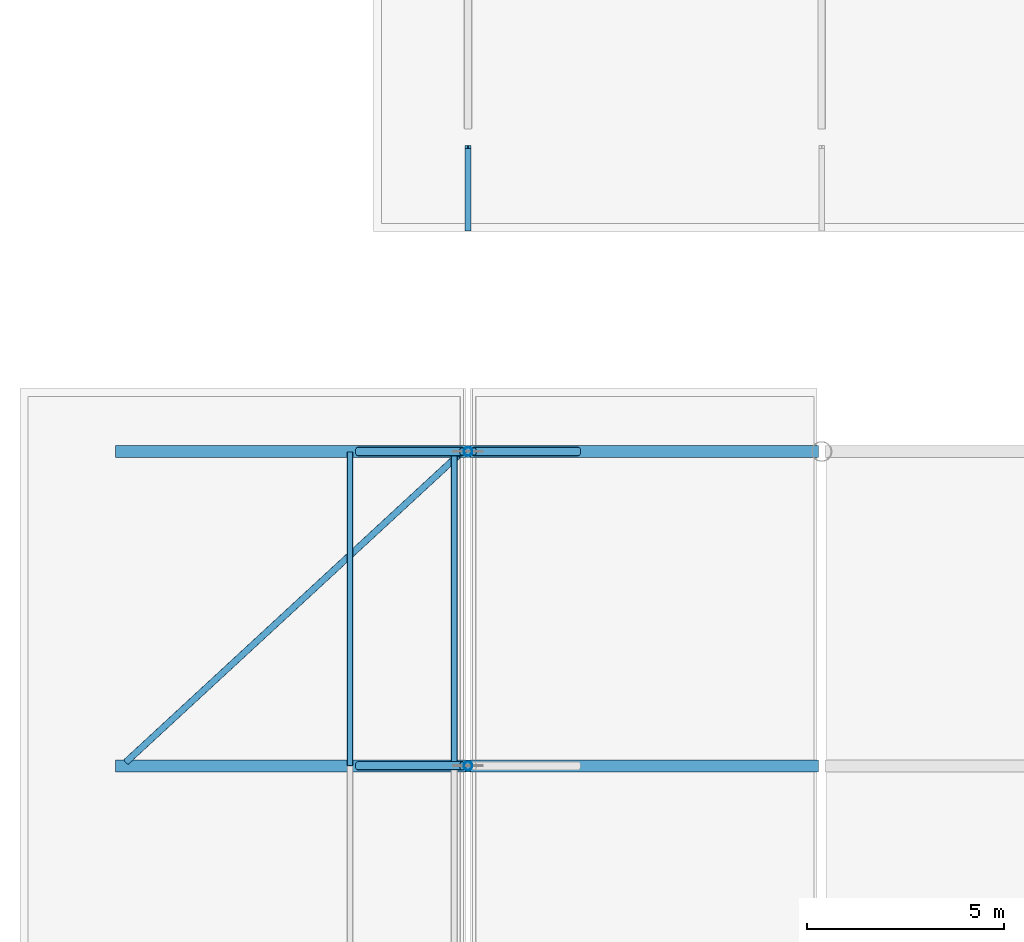
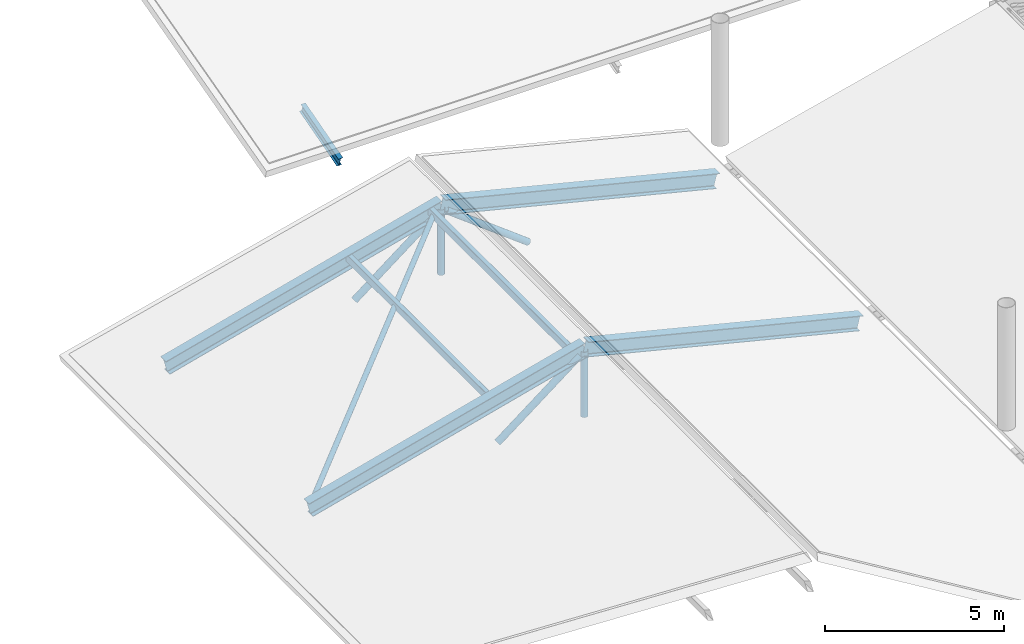
# One storey, part 43 of 128: 8 members, 5 beams.
"""IFC4 building model written with IfcOpenShell, lengths in metres."""

from ifc_helpers import new_model, si_unit, derived_unit, direction, frame, origin, origin_2d, place, context, subcontext, project, spatial, hollow_rectangle, hollow_circle, i_section, extrude, material, material_profile, profile_set, type_object, element, save


model = new_model("IFC4")

# Units and contexts
model_context = context("Model", 3, precision=1e-05, world=origin(), true_north=direction((0.0, 1.0)))
body_context = subcontext(model_context, "Body", "Model", "MODEL_VIEW")
ifc_project = project(units=[si_unit("LENGTHUNIT", "METRE"), si_unit("AREAUNIT", "SQUARE_METRE"), si_unit("VOLUMEUNIT", "CUBIC_METRE"), si_unit("PLANEANGLEUNIT", "RADIAN"), si_unit("MASSUNIT", "GRAM", prefix="KILO"), derived_unit("THERMALTRANSMITTANCEUNIT", [(si_unit("MASSUNIT", "GRAM", prefix="KILO"), 1), (si_unit("TIMEUNIT", "SECOND"), -3), (si_unit("THERMODYNAMICTEMPERATUREUNIT", "KELVIN"), -1)])], contexts=[model_context])

# Site, building, storey
site_placement = place(None, origin())
site = spatial("IfcSite", under=ifc_project, at=site_placement, CompositionType="ELEMENT")
building_placement = place(site_placement, origin())
building = spatial("IfcBuilding", under=site, at=building_placement, Name="Zhenchuan Archway Interchange", CompositionType="ELEMENT")
storey_placement = place(building_placement, frame((0.0, 0.0, 14.39990234375)))
storey = spatial("IfcBuildingStorey", under=building, at=storey_placement, Name="L03", CompositionType="ELEMENT", Elevation=14.39990234375)

# Beams
ifc_material_1 = material(Name="Steel Q355", Category="steel")
ifc_material_profile_1 = material_profile(ifc_material_1, i_section(OverallWidth=0.14990234375, OverallDepth=0.300048828125, WebThickness=0.006591796875, FlangeThickness=0.009033203125, FilletRadius=0.012939453125, at=origin_2d()), Name="HN 300x150")
ifc_profile_set_1 = profile_set([ifc_material_profile_1], Name="Steel Q355")
beam_type_1 = type_object("IfcBeamType", Name="BM_STL_EAVE_HN300", PredefinedType="BEAM", material=ifc_profile_set_1)
beam_1_placement = place(storey_placement, frame((9.0, 95.75, -0.3798828125), z_axis=(0.0, -0.961515511102, -0.274750654067), x_axis=(1.0, 0.0, 0.0)))
element("IfcBeam", 1, at=beam_1_placement, inside=storey, type_object=beam_type_1, Name="Terminal Wing storm-eave bracket X9-S", PredefinedType="BEAM", context=body_context, shape_type="SweptSolid", body=[
    extrude(i_section(OverallWidth=0.14990234375, OverallDepth=0.300048828125, WebThickness=0.006591796875, FlangeThickness=0.009033203125, FilletRadius=0.012939453125, at=origin_2d()), origin(), (0.0, 0.0, 1.0), 2.18408203125),
])
ifc_material_2 = material(Name="Steel Q390", Category="steel")
ifc_material_profile_2 = material_profile(ifc_material_2, i_section(OverallWidth=0.300048828125, OverallDepth=0.5, WebThickness=0.010986328125, FlangeThickness=0.01806640625, FilletRadius=0.02197265625, at=origin_2d()), Name="HM 500x300")
ifc_profile_set_2 = profile_set([ifc_material_profile_2], Name="Steel Q390")
beam_type_2 = type_object("IfcBeamType", Name="BM_STL_HM500", PredefinedType="BEAM", material=ifc_profile_set_2)
beam_2_placement = place(storey_placement, frame((0.10009765625, 80.0, -1.3798828125), z_axis=(0.966597493946, 0.0, 0.256299209318), x_axis=(0.0, 1.0, 0.0)))
element("IfcBeam", 2, at=beam_2_placement, inside=storey, type_object=beam_type_2, Name="ROOF TRUSS bus canopy T8 top chord 1", PredefinedType="BEAM", context=body_context, shape_type="SweptSolid", body=[
    extrude(i_section(OverallWidth=0.300048828125, OverallDepth=0.5, WebThickness=0.010986328125, FlangeThickness=0.01806640625, FilletRadius=0.02197265625, at=origin_2d()), origin(), (0.0, 0.0, 1.0), 9.20751953125),
])
beam_3_placement = place(storey_placement, frame((9.0, 80.0, 0.97998046875), z_axis=(0.970529815041, 0.0, -0.240981074187), x_axis=(0.0, 1.0, 0.0)))
element("IfcBeam", 3, at=beam_3_placement, inside=storey, type_object=beam_type_2, Name="ROOF TRUSS bus canopy T8 top chord 2", PredefinedType="BEAM", context=body_context, shape_type="SweptSolid", body=[
    extrude(i_section(OverallWidth=0.300048828125, OverallDepth=0.5, WebThickness=0.010986328125, FlangeThickness=0.01806640625, FilletRadius=0.02197265625, at=origin_2d()), origin(), (0.0, 0.0, 1.0), 9.129150390625),
])
beam_4_placement = place(storey_placement, frame((0.10009765625, 88.0, -1.3798828125), z_axis=(0.966597493946, 0.0, 0.256299209318), x_axis=(0.0, 1.0, 0.0)))
element("IfcBeam", 4, at=beam_4_placement, inside=storey, type_object=beam_type_2, Name="ROOF TRUSS bus canopy T9 top chord 1", PredefinedType="BEAM", context=body_context, shape_type="SweptSolid", body=[
    extrude(i_section(OverallWidth=0.300048828125, OverallDepth=0.5, WebThickness=0.010986328125, FlangeThickness=0.01806640625, FilletRadius=0.02197265625, at=origin_2d()), origin(), (0.0, 0.0, 1.0), 9.20751953125),
])
beam_5_placement = place(storey_placement, frame((9.0, 88.0, 0.97998046875), z_axis=(0.970529815041, 0.0, -0.240981074187), x_axis=(0.0, 1.0, 0.0)))
element("IfcBeam", 5, at=beam_5_placement, inside=storey, type_object=beam_type_2, Name="ROOF TRUSS bus canopy T9 top chord 2", PredefinedType="BEAM", context=body_context, shape_type="SweptSolid", body=[
    extrude(i_section(OverallWidth=0.300048828125, OverallDepth=0.5, WebThickness=0.010986328125, FlangeThickness=0.01806640625, FilletRadius=0.02197265625, at=origin_2d()), origin(), (0.0, 0.0, 1.0), 9.129150390625),
])

# Members
ifc_material_profile_3 = material_profile(ifc_material_1, hollow_circle(Radius=0.083984375, WallThickness=0.008056640625, at=origin_2d()), Name="CHS 168x8")
ifc_profile_set_3 = profile_set([ifc_material_profile_3], Name="Steel Q355")
member_type_1 = type_object("IfcMemberType", Name="MB_CHS168", PredefinedType="BRACE", material=ifc_profile_set_3)
member_1_placement = place(storey_placement, frame((0.300048828125, 80.10009765625, -1.219970703125), z_axis=(0.72240590954, 0.666823379792, 0.18296524813), x_axis=(-0.678273048467, 0.734809956195, 0.0)))
element("IfcMember", 6, at=member_1_placement, inside=storey, type_object=member_type_1, Name="Bus canopy wind brace B8-W", PredefinedType="BRACE", context=body_context, shape_type="SweptSolid", body=[
    extrude(hollow_circle(Radius=0.083984375, WallThickness=0.008056640625, at=origin_2d()), origin(), (0.0, 0.0, 1.0), 11.697021484375),
])
ifc_material_profile_4 = material_profile(ifc_material_1, hollow_circle(Radius=0.109619140625, WallThickness=0.008056640625, at=origin_2d()), Name="CHS 219x8")
ifc_profile_set_4 = profile_set([ifc_material_profile_4], Name="Steel Q355")
member_type_2 = type_object("IfcMemberType", Name="MB_CHS219", PredefinedType="BRACE", material=ifc_profile_set_4)
member_2_placement = place(storey_placement, frame((9.0, 80.0, -1.349853515625), z_axis=(0.0, 0.0, 1.0), x_axis=(1.0, 0.0, 0.0)))
element("IfcMember", 7, at=member_2_placement, inside=storey, type_object=member_type_2, Name="ROOF TRUSS bus canopy T8 web V1", PredefinedType="BRACE", context=body_context, shape_type="SweptSolid", body=[
    extrude(hollow_circle(Radius=0.109619140625, WallThickness=0.008056640625, at=origin_2d()), origin(), (0.0, 0.0, 1.0), 2.22998046875),
])
member_3_placement = place(storey_placement, frame((6.199951171875, 80.0, -1.290771484375), z_axis=(0.790860205512, 0.0, 0.611996842588), x_axis=(0.0, 1.0, 0.0)))
element("IfcMember", 8, at=member_3_placement, inside=storey, type_object=member_type_2, Name="ROOF TRUSS bus canopy T8 web D1", PredefinedType="BRACE", context=body_context, shape_type="SweptSolid", body=[
    extrude(hollow_circle(Radius=0.109619140625, WallThickness=0.008056640625, at=origin_2d()), origin(), (0.0, 0.0, 1.0), 3.35107421875),
])
member_4_placement = place(storey_placement, frame((9.0, 88.0, -1.349853515625), z_axis=(0.0, 0.0, 1.0), x_axis=(1.0, 0.0, 0.0)))
element("IfcMember", 9, at=member_4_placement, inside=storey, type_object=member_type_2, Name="ROOF TRUSS bus canopy T9 web V1", PredefinedType="BRACE", context=body_context, shape_type="SweptSolid", body=[
    extrude(hollow_circle(Radius=0.109619140625, WallThickness=0.008056640625, at=origin_2d()), origin(), (0.0, 0.0, 1.0), 2.22998046875),
])
member_5_placement = place(storey_placement, frame((6.199951171875, 88.0, -1.290771484375), z_axis=(0.790860205512, 0.0, 0.611996842588), x_axis=(0.0, 1.0, 0.0)))
element("IfcMember", 10, at=member_5_placement, inside=storey, type_object=member_type_2, Name="ROOF TRUSS bus canopy T9 web D1", PredefinedType="BRACE", context=body_context, shape_type="SweptSolid", body=[
    extrude(hollow_circle(Radius=0.109619140625, WallThickness=0.008056640625, at=origin_2d()), origin(), (0.0, 0.0, 1.0), 3.35107421875),
])
member_6_placement = place(storey_placement, frame((11.800048828125, 88.0, -1.254638671875), z_axis=(-0.796084461129, 0.0, 0.605185534154), x_axis=(0.0, -1.0, 0.0)))
element("IfcMember", 11, at=member_6_placement, inside=storey, type_object=member_type_2, Name="ROOF TRUSS bus canopy T9 web D2", PredefinedType="BRACE", context=body_context, shape_type="SweptSolid", body=[
    extrude(hollow_circle(Radius=0.109619140625, WallThickness=0.008056640625, at=origin_2d()), origin(), (0.0, 0.0, 1.0), 3.328857421875),
])
ifc_material_profile_5 = material_profile(ifc_material_1, hollow_rectangle(XDim=0.14990234375, YDim=0.25, WallThickness=0.008056640625, InnerFilletRadius=0.008056640625, OuterFilletRadius=0.01611328125, at=origin_2d()), Name="RHS 250x150x8")
ifc_profile_set_5 = profile_set([ifc_material_profile_5], Name="Steel Q355")
member_type_3 = type_object("IfcMemberType", Name="MB_RHS250", PredefinedType="PURLIN", material=ifc_profile_set_5)
member_7_placement = place(storey_placement, frame((6.0, 80.008056640625, 0.260009765625), z_axis=(0.0, 1.0, 0.0), x_axis=(-1.0, 0.0, 0.0)))
element("IfcMember", 12, at=member_7_placement, inside=storey, type_object=member_type_3, Name="Bus canopy roof purlin B8-P2", PredefinedType="PURLIN", context=body_context, shape_type="SweptSolid", body=[
    extrude(hollow_rectangle(XDim=0.14990234375, YDim=0.25, WallThickness=0.008056640625, InnerFilletRadius=0.008056640625, OuterFilletRadius=0.01611328125, at=origin_2d()), origin(), (0.0, 0.0, 1.0), 7.98388671875),
])
ifc_material_profile_6 = material_profile(ifc_material_1, hollow_rectangle(XDim=0.159912109375, YDim=0.260009765625, WallThickness=0.010009765625, InnerFilletRadius=0.010009765625, OuterFilletRadius=0.02001953125, at=origin_2d()), Name="RHS 260x160x10")
ifc_profile_set_6 = profile_set([ifc_material_profile_6], Name="Steel Q355")
member_type_4 = type_object("IfcMemberType", Name="MB_RHS260", PredefinedType="PURLIN", material=ifc_profile_set_6)
member_8_placement = place(storey_placement, frame((8.64990234375, 80.008056640625, 0.920166015625), z_axis=(0.0, 1.0, 0.0), x_axis=(-1.0, 0.0, 0.0)))
element("IfcMember", 13, at=member_8_placement, inside=storey, type_object=member_type_4, Name="Bus canopy roof purlin B8-P3", PredefinedType="PURLIN", context=body_context, shape_type="SweptSolid", body=[
    extrude(hollow_rectangle(XDim=0.159912109375, YDim=0.260009765625, WallThickness=0.010009765625, InnerFilletRadius=0.010009765625, OuterFilletRadius=0.02001953125, at=origin_2d()), origin(), (0.0, 0.0, 1.0), 7.98388671875),
])

save(model, "model.ifc")
